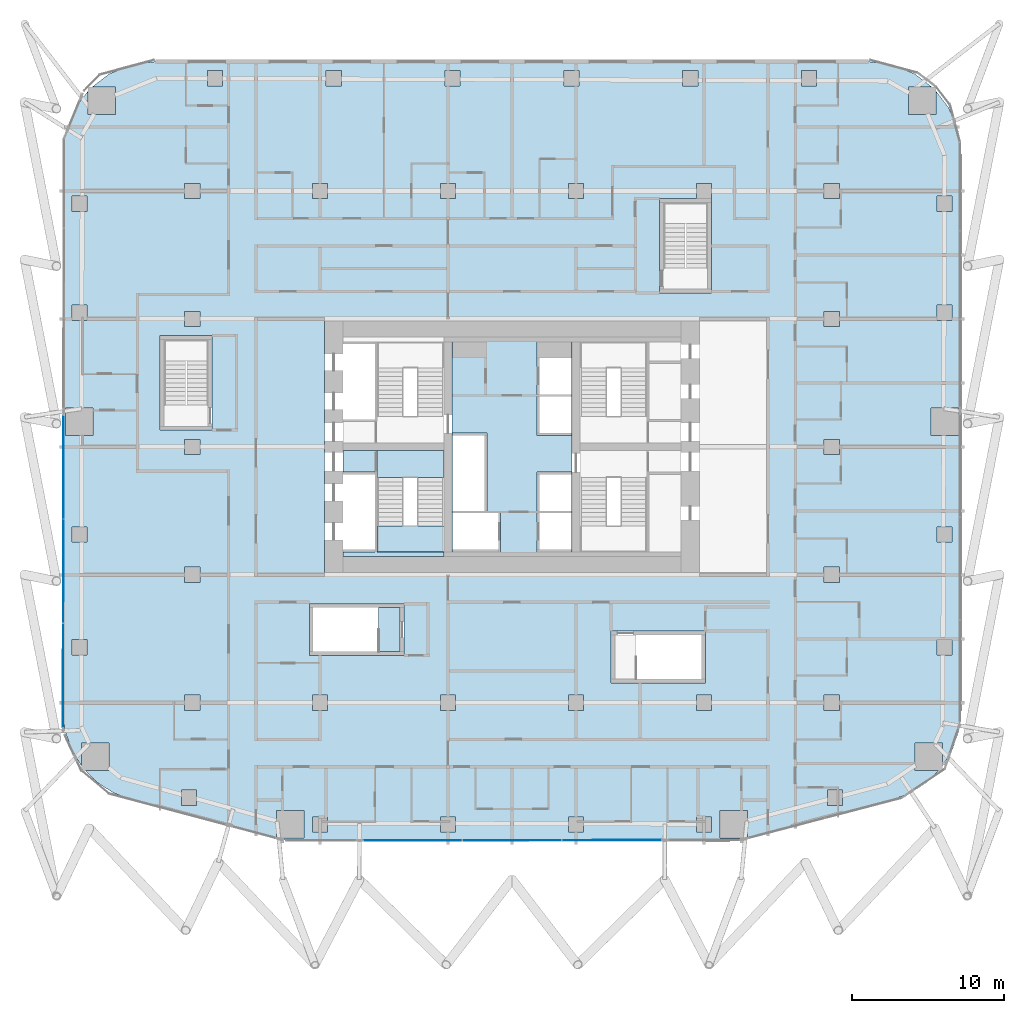
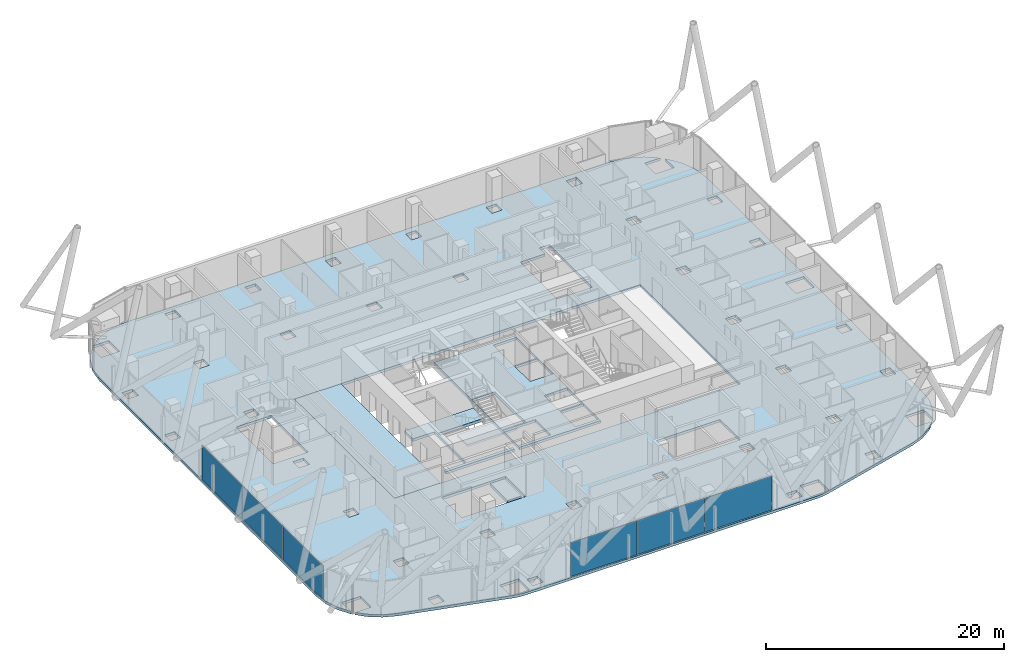
# One storey, part 21 of 36: 7 slabs, 6 plates, 3 elements without a shape of their own.
"""IFC4 building model written with IfcOpenShell, lengths in metres."""

from ifc_helpers import new_model, si_unit, direction, frame, origin, origin_2d, place, context, subcontext, project, spatial, polyline, rectangle, outline, extrude, material, layer, layer_set, type_object, element, aggregate, save


model = new_model("IFC4")

# Units and contexts
model_context = context("Model", 3, precision=1e-05, world=origin(), true_north=direction((0.0, 1.0)))
body_context = subcontext(model_context, "Body", "Model", "MODEL_VIEW")
ifc_project = project(units=[si_unit("LENGTHUNIT", "METRE"), si_unit("AREAUNIT", "SQUARE_METRE"), si_unit("VOLUMEUNIT", "CUBIC_METRE"), si_unit("PLANEANGLEUNIT", "RADIAN"), si_unit("MASSUNIT", "GRAM", prefix="KILO")], contexts=[model_context])

# Site, building, storey
site_placement = place(None, origin())
site = spatial("IfcSite", under=ifc_project, at=site_placement, CompositionType="ELEMENT")
building_placement = place(site_placement, origin())
building = spatial("IfcBuilding", under=site, at=building_placement, Name="Marenta Gate Hotel Tower", CompositionType="ELEMENT")
storey_placement = place(building_placement, frame((0.0, 0.0, 83.300048828125)))
storey = spatial("IfcBuildingStorey", under=building, at=storey_placement, Name="L19", CompositionType="ELEMENT", Elevation=83.300048828125)

# Slabs
ifc_material_1 = material(Name="Concrete C35", Category="concrete")
ifc_layer_1 = layer(ifc_material_1, 0.260009765625)
ifc_layer_set_1 = layer_set([ifc_layer_1], Name="Concrete C35")
slab_type_1 = type_object("IfcSlabType", Name="Concrete floor slab 260", PredefinedType="FLOOR", material=ifc_layer_set_1)
slab_1_placement = place(storey_placement, frame((0.0, 0.0, -0.260009765625)))
element("IfcSlab", 1, at=slab_1_placement, inside=storey, type_object=slab_type_1, Name="L19-SL-1", PredefinedType="FLOOR", context=body_context, shape_type="SweptSolid", body=[
    extrude(outline(polyline([(-27.313720703125, -13.56396484375), (-28.015625, -12.8330078125), (-26.462890625, -12.8330078125), (-26.462890625, -11.032958984375), (-28.262939453125, -11.032958984375), (-28.262939453125, -12.55859375), (-28.927001953125, -11.467041015625), (-29.35546875, -10.20703125), (-29.5, -8.889892578125), (-29.5, 27.6064453125), (-29.29296875, 29.178955078125), (-28.68359375, 30.650390625), (-27.83544921875, 31.755615234375), (-27.83544921875, 30.235595703125), (-26.035400390625, 30.235595703125), (-26.035400390625, 32.035400390625), (-27.555419921875, 32.035400390625), (-26.450439453125, 32.883544921875), (-24.97900390625, 33.492919921875), (-23.406494140625, 33.699951171875), (23.406494140625, 33.699951171875), (24.97900390625, 33.492919921875), (26.450439453125, 32.883544921875), (27.555419921875, 32.035400390625), (26.035400390625, 32.035400390625), (26.035400390625, 30.235595703125), (27.83544921875, 30.235595703125), (27.83544921875, 31.755615234375), (28.68359375, 30.650390625), (29.29296875, 29.178955078125), (29.5, 27.6064453125), (29.5, -8.889892578125), (29.35546875, -10.20703125), (28.927001953125, -11.467041015625), (28.262939453125, -12.55859375), (28.262939453125, -11.032958984375), (26.462890625, -11.032958984375), (26.462890625, -12.8330078125), (28.015625, -12.8330078125), (27.313720703125, -13.56396484375), (26.205810546875, -14.30126953125), (24.969482421875, -14.77880859375), (15.2265625, -17.36376953125), (14.70849609375, -17.4658203125), (14.181640625, -17.5), (-14.181640625, -17.5), (-14.70849609375, -17.4658203125), (-15.2265625, -17.36376953125), (-24.969482421875, -14.77880859375), (-26.205810546875, -14.30126953125), (-27.313720703125, -13.56396484375)]), holes=[polyline([(-16.800048828125, 0.0), (16.800048828125, 0.0), (16.800048828125, 16.800048828125), (-16.800048828125, 16.800048828125), (-16.800048828125, 0.0)]), polyline([(-13.666259765625, -15.474853515625), (-15.46630859375, -15.474853515625), (-15.46630859375, -17.27490234375), (-13.666259765625, -17.27490234375), (-13.666259765625, -15.474853515625)]), polyline([(-20.706787109375, -14.13916015625), (-21.706787109375, -14.13916015625), (-21.706787109375, -15.13916015625), (-20.706787109375, -15.13916015625), (-20.706787109375, -14.13916015625)]), polyline([(-20.5, -8.89990234375), (-20.5, -7.89990234375), (-21.5, -7.89990234375), (-21.5, -8.89990234375), (-20.5, -8.89990234375)]), polyline([(-12.10009765625, -8.89990234375), (-12.10009765625, -7.89990234375), (-13.10009765625, -7.89990234375), (-13.10009765625, -8.89990234375), (-12.10009765625, -8.89990234375)]), polyline([(-27.89990234375, -4.251953125), (-28.89990234375, -4.251953125), (-28.89990234375, -5.251953125), (-27.89990234375, -5.251953125), (-27.89990234375, -4.251953125)]), polyline([(-20.5, -0.5), (-20.5, 0.5), (-21.5, 0.5), (-21.5, -0.5), (-20.5, -0.5)]), polyline([(-27.89990234375, 2.149169921875), (-27.89990234375, 3.149169921875), (-28.89990234375, 3.149169921875), (-28.89990234375, 2.149169921875), (-27.89990234375, 2.149169921875)]), polyline([(-20.5, 8.89990234375), (-21.5, 8.89990234375), (-21.5, 7.89990234375), (-20.5, 7.89990234375), (-20.5, 8.89990234375)]), polyline([(-27.5, 9.14990234375), (-27.5, 10.949951171875), (-29.300048828125, 10.949951171875), (-29.300048828125, 9.14990234375), (-27.5, 9.14990234375)]), polyline([(-20.5, 16.300048828125), (-20.5, 17.300048828125), (-21.5, 17.300048828125), (-21.5, 16.300048828125), (-20.5, 16.300048828125)]), polyline([(-27.89990234375, 17.703125), (-28.89990234375, 17.703125), (-28.89990234375, 16.703125), (-27.89990234375, 16.703125), (-27.89990234375, 17.703125)]), polyline([(-27.89990234375, 23.8564453125), (-27.89990234375, 24.8564453125), (-28.89990234375, 24.8564453125), (-28.89990234375, 23.8564453125), (-27.89990234375, 23.8564453125)]), polyline([(-20.5, 24.699951171875), (-20.5, 25.699951171875), (-21.5, 25.699951171875), (-21.5, 24.699951171875), (-20.5, 24.699951171875)]), polyline([(-19.0068359375, 32.10009765625), (-19.0068359375, 33.10009765625), (-20.0068359375, 33.10009765625), (-20.0068359375, 32.10009765625), (-19.0068359375, 32.10009765625)]), polyline([(-12.10009765625, -16.89990234375), (-12.10009765625, -15.89990234375), (-13.10009765625, -15.89990234375), (-13.10009765625, -16.89990234375), (-12.10009765625, -16.89990234375)]), polyline([(-3.699951171875, -15.89990234375), (-4.699951171875, -15.89990234375), (-4.699951171875, -16.89990234375), (-3.699951171875, -16.89990234375), (-3.699951171875, -15.89990234375)]), polyline([(4.699951171875, -16.89990234375), (4.699951171875, -15.89990234375), (3.699951171875, -15.89990234375), (3.699951171875, -16.89990234375), (4.699951171875, -16.89990234375)]), polyline([(13.10009765625, -16.89990234375), (13.10009765625, -15.89990234375), (12.10009765625, -15.89990234375), (12.10009765625, -16.89990234375), (13.10009765625, -16.89990234375)]), polyline([(15.46630859375, -15.474853515625), (13.666259765625, -15.474853515625), (13.666259765625, -17.27490234375), (15.46630859375, -17.27490234375), (15.46630859375, -15.474853515625)]), polyline([(-3.699951171875, -8.89990234375), (-3.699951171875, -7.89990234375), (-4.699951171875, -7.89990234375), (-4.699951171875, -8.89990234375), (-3.699951171875, -8.89990234375)]), polyline([(4.699951171875, -8.89990234375), (4.699951171875, -7.89990234375), (3.699951171875, -7.89990234375), (3.699951171875, -8.89990234375), (4.699951171875, -8.89990234375)]), polyline([(13.10009765625, -7.89990234375), (12.10009765625, -7.89990234375), (12.10009765625, -8.89990234375), (13.10009765625, -8.89990234375), (13.10009765625, -7.89990234375)]), polyline([(-12.10009765625, 25.699951171875), (-13.10009765625, 25.699951171875), (-13.10009765625, 24.699951171875), (-12.10009765625, 24.699951171875), (-12.10009765625, 25.699951171875)]), polyline([(-3.699951171875, 25.699951171875), (-4.699951171875, 25.699951171875), (-4.699951171875, 24.699951171875), (-3.699951171875, 24.699951171875), (-3.699951171875, 25.699951171875)]), polyline([(4.699951171875, 24.699951171875), (4.699951171875, 25.699951171875), (3.699951171875, 25.699951171875), (3.699951171875, 24.699951171875), (4.699951171875, 24.699951171875)]), polyline([(13.10009765625, 25.699951171875), (12.10009765625, 25.699951171875), (12.10009765625, 24.699951171875), (9.699951171875, 24.699951171875), (9.699951171875, 18.5), (13.10009765625, 18.5), (13.10009765625, 25.699951171875)]), polyline([(-11.2041015625, 33.10009765625), (-12.2041015625, 33.10009765625), (-12.2041015625, 32.10009765625), (-11.2041015625, 32.10009765625), (-11.2041015625, 33.10009765625)]), polyline([(-3.4013671875, 32.10009765625), (-3.4013671875, 33.10009765625), (-4.4013671875, 33.10009765625), (-4.4013671875, 32.10009765625), (-3.4013671875, 32.10009765625)]), polyline([(4.4013671875, 32.10009765625), (4.4013671875, 33.10009765625), (3.4013671875, 33.10009765625), (3.4013671875, 32.10009765625), (4.4013671875, 32.10009765625)]), polyline([(12.2041015625, 33.10009765625), (11.2041015625, 33.10009765625), (11.2041015625, 32.10009765625), (12.2041015625, 32.10009765625), (12.2041015625, 33.10009765625)]), polyline([(21.706787109375, -15.13916015625), (21.706787109375, -14.13916015625), (20.706787109375, -14.13916015625), (20.706787109375, -15.13916015625), (21.706787109375, -15.13916015625)]), polyline([(21.5, -7.89990234375), (20.5, -7.89990234375), (20.5, -8.89990234375), (21.5, -8.89990234375), (21.5, -7.89990234375)]), polyline([(28.89990234375, -5.251953125), (28.89990234375, -4.251953125), (27.89990234375, -4.251953125), (27.89990234375, -5.251953125), (28.89990234375, -5.251953125)]), polyline([(21.5, -0.5), (21.5, 0.5), (20.5, 0.5), (20.5, -0.5), (21.5, -0.5)]), polyline([(28.89990234375, 3.149169921875), (27.89990234375, 3.149169921875), (27.89990234375, 2.149169921875), (28.89990234375, 2.149169921875), (28.89990234375, 3.149169921875)]), polyline([(21.5, 7.89990234375), (21.5, 8.89990234375), (20.5, 8.89990234375), (20.5, 7.89990234375), (21.5, 7.89990234375)]), polyline([(29.300048828125, 9.14990234375), (29.300048828125, 10.949951171875), (27.5, 10.949951171875), (27.5, 9.14990234375), (29.300048828125, 9.14990234375)]), polyline([(21.5, 17.300048828125), (20.5, 17.300048828125), (20.5, 16.300048828125), (21.5, 16.300048828125), (21.5, 17.300048828125)]), polyline([(28.89990234375, 16.703125), (28.89990234375, 17.703125), (27.89990234375, 17.703125), (27.89990234375, 16.703125), (28.89990234375, 16.703125)]), polyline([(28.89990234375, 23.8564453125), (28.89990234375, 24.8564453125), (27.89990234375, 24.8564453125), (27.89990234375, 23.8564453125), (28.89990234375, 23.8564453125)]), polyline([(21.5, 25.699951171875), (20.5, 25.699951171875), (20.5, 24.699951171875), (21.5, 24.699951171875), (21.5, 25.699951171875)]), polyline([(20.0068359375, 32.10009765625), (20.0068359375, 33.10009765625), (19.0068359375, 33.10009765625), (19.0068359375, 32.10009765625), (20.0068359375, 32.10009765625)]), polyline([(6.5, -7.10009765625), (12.699951171875, -7.10009765625), (12.699951171875, -3.699951171875), (6.5, -3.699951171875), (6.5, -7.10009765625)]), polyline([(-13.300048828125, -5.300048828125), (-7.10009765625, -5.300048828125), (-7.10009765625, -1.89990234375), (-13.300048828125, -1.89990234375), (-13.300048828125, -5.300048828125)]), polyline([(-23.10009765625, 9.5), (-19.699951171875, 9.5), (-19.699951171875, 15.699951171875), (-23.10009765625, 15.699951171875), (-23.10009765625, 9.5)])]), origin(), (0.0, 0.0, 1.0), 0.260009765625),
])
ifc_material_2 = material(Name="Concrete C40", Category="concrete")
ifc_layer_2 = layer(ifc_material_2, 0.260009765625)
ifc_layer_set_2 = layer_set([ifc_layer_2], Name="Concrete C40")
slab_type_2 = type_object("IfcSlabType", Name="Core floor slab 260", PredefinedType="FLOOR", material=ifc_layer_set_2)
slab_2_placement = place(storey_placement, frame((0.0, 0.0, -0.260009765625)))
element("IfcSlab", 2, at=slab_2_placement, inside=storey, type_object=slab_type_2, Name="L19-CF-4", PredefinedType="FLOOR", context=body_context, shape_type="SweptSolid", body=[
    extrude(outline(polyline([(3.949951171875, 15.300048828125), (3.949951171875, 10.39990234375), (3.949951171875, 6.39990234375), (3.949951171875, 1.5), (3.949951171875, 1.199951171875), (-3.949951171875, 1.199951171875), (-3.949951171875, 1.5), (-3.949951171875, 6.39990234375), (-3.949951171875, 10.39990234375), (-3.949951171875, 15.300048828125), (-3.949951171875, 15.60009765625), (3.949951171875, 15.60009765625), (3.949951171875, 15.300048828125)]), holes=[polyline([(1.64990234375, 4.050048828125), (1.64990234375, 1.64990234375), (1.64990234375, 1.5), (3.89990234375, 1.5), (3.89990234375, 1.64990234375), (3.89990234375, 4.050048828125), (1.800048828125, 4.050048828125), (1.64990234375, 4.050048828125)]), polyline([(1.64990234375, 9.14990234375), (3.89990234375, 9.14990234375), (3.89990234375, 9.300048828125), (3.89990234375, 11.699951171875), (1.800048828125, 11.699951171875), (1.64990234375, 11.699951171875), (1.64990234375, 9.300048828125), (1.64990234375, 9.14990234375)]), polyline([(1.64990234375, 11.85009765625), (1.800048828125, 11.85009765625), (3.89990234375, 11.85009765625), (3.89990234375, 14.25), (3.89990234375, 15.300048828125), (1.64990234375, 15.300048828125), (1.64990234375, 14.25), (1.64990234375, 11.85009765625)]), polyline([(3.89990234375, 6.60009765625), (3.89990234375, 6.75), (1.64990234375, 6.75), (1.64990234375, 6.60009765625), (1.64990234375, 4.199951171875), (1.800048828125, 4.199951171875), (3.89990234375, 4.199951171875), (3.89990234375, 6.60009765625)]), polyline([(-3.89990234375, 1.5), (-0.89990234375, 1.5), (-0.75, 1.5), (-0.75, 4.050048828125), (-0.89990234375, 4.050048828125), (-3.89990234375, 4.050048828125), (-3.89990234375, 1.64990234375), (-3.89990234375, 1.5)]), polyline([(-1.64990234375, 4.199951171875), (-1.64990234375, 9.14990234375), (-1.64990234375, 9.300048828125), (-3.89990234375, 9.300048828125), (-3.89990234375, 9.14990234375), (-3.89990234375, 6.75), (-3.89990234375, 6.60009765625), (-3.89990234375, 4.199951171875), (-1.800048828125, 4.199951171875), (-1.64990234375, 4.199951171875)])]), origin(), (0.0, 0.0, 1.0), 0.260009765625),
])
slab_3_placement = place(storey_placement, frame((0.0, 0.0, -0.260009765625)))
element("IfcSlab", 3, at=slab_3_placement, inside=storey, type_object=slab_type_2, Name="L19-CF-5", PredefinedType="FLOOR", context=body_context, shape_type="SweptSolid", body=[
    extrude(outline(polyline([(-9.0, 1.5), (-9.0, 1.64990234375), (-9.0, 4.050048828125), (-9.0, 4.199951171875), (-9.0, 6.60009765625), (-9.0, 6.75), (-11.10009765625, 6.75), (-11.10009765625, 8.14990234375), (-8.85009765625, 8.14990234375), (-8.85009765625, 8.10009765625), (-8.85009765625, 6.39990234375), (-8.85009765625, 1.5), (-4.449951171875, 1.5), (-4.449951171875, 1.199951171875), (-11.10009765625, 1.199951171875), (-11.10009765625, 1.5), (-9.0, 1.5)])), origin(), (0.0, 0.0, 1.0), 0.260009765625),
])
slab_4_placement = place(storey_placement, frame((0.0, 0.0, -0.260009765625)))
element("IfcSlab", 4, at=slab_4_placement, inside=storey, type_object=slab_type_2, Name="L19-CF-7", PredefinedType="FLOOR", context=body_context, shape_type="SweptSolid", body=[
    extrude(outline(polyline([(-12.300048828125, 16.800048828125), (-12.300048828125, 0.0), (-16.800048828125, 0.0), (-16.800048828125, 16.800048828125), (-12.300048828125, 16.800048828125)])), origin(), (0.0, 0.0, 1.0), 0.260009765625),
])

# Stair, slab
ifc_material_3 = material(Name="Concrete C40", Category="concrete")
stair_type = type_object("IfcStairType", Name="Core exit stair 1700 wide", PredefinedType="HALF_TURN_STAIR", material=ifc_material_3)
stair_placement = place(storey_placement, origin())
stair = element("IfcStair", 5, at=stair_placement, inside=storey, type_object=stair_type, Name="Exit stair 1", PredefinedType="HALF_TURN_STAIR")
ifc_material_4 = material(Name="Concrete C40", Category="concrete")
ifc_layer_3 = layer(ifc_material_4, 0.199951171875)
ifc_layer_set_3 = layer_set([ifc_layer_3], Name="Concrete C40")
slab_type_3 = type_object("IfcSlabType", Name="Core stair landing 200", PredefinedType="LANDING", material=ifc_layer_set_3)
slab_5_placement = place(storey_placement, frame((0.0, 0.0, 1.599853515625)))
slab_5 = element("IfcSlab", 6, at=slab_5_placement, type_object=slab_type_3, Name="SL-200 ST1 landing 1", PredefinedType="LANDING", context=body_context, shape_type="SweptSolid", body=[
    extrude(outline(polyline([(-8.85009765625, 1.5), (-3.949951171875, 1.5), (-3.949951171875, 3.2099609375), (-8.85009765625, 3.2099609375), (-8.85009765625, 1.5)])), origin(), (0.0, 0.0, 1.0), 0.2001953125),
])
aggregate(stair, [slab_5])

# Curtain wall, plates
ifc_material_5 = material(Name="Tinted insulated glass in bronze anodised frame", Category="glass")
ifc_layer_4 = layer(ifc_material_5, 0.1201171875)
ifc_layer_set_4 = layer_set([ifc_layer_4], Name="Tinted insulated glass in bronze anodised frame")
curtain_wall_type = type_object("IfcCurtainWallType", Name="Tower unitised curtain wall CW1", PredefinedType="NOTDEFINED", material=ifc_layer_set_4)
curtain_wall_1_placement = place(storey_placement, origin())
curtain_wall_1 = element("IfcCurtainWall", 7, at=curtain_wall_1_placement, inside=storey, type_object=curtain_wall_type, Name="CW1 run G08", PredefinedType="NOTDEFINED")
ifc_material_6 = material(Name="Tinted insulated glass", Category="glass")
ifc_layer_5 = layer(ifc_material_6, 0.028076171875)
ifc_layer_set_5 = layer_set([ifc_layer_5], Name="Tinted insulated glass")
plate_type = type_object("IfcPlateType", Name="Glass panel CW1 28 mm tinted insulated unit", PredefinedType="CURTAIN_PANEL", material=ifc_layer_set_5)
plate_1_placement = place(storey_placement, frame((-29.4462890625, 7.068359375, 0.06005859375), z_axis=(0.0, 0.0, 1.0), x_axis=(-0.00156461532, -0.999998775989, 0.0)))
plate_1 = element("IfcPlate", 8, at=plate_1_placement, type_object=plate_type, Name="CW1 panel 1.1", PredefinedType="CURTAIN_PANEL", context=body_context, shape_type="SweptSolid", body=[
    extrude(rectangle(XDim=6.748779296875, YDim=0.028076171875, at=origin_2d()), origin(), (0.0, 0.0, 1.0), 3.47998046875),
])
plate_2_placement = place(storey_placement, frame((-29.456787109375, 0.24462890625, 0.06005859375), z_axis=(0.0, 0.0, 1.0), x_axis=(-0.00156461532, -0.999998775989, 0.0)))
plate_2 = element("IfcPlate", 9, at=plate_2_placement, type_object=plate_type, Name="CW1 panel 2.1", PredefinedType="CURTAIN_PANEL", context=body_context, shape_type="SweptSolid", body=[
    extrude(rectangle(XDim=6.77880859375, YDim=0.028076171875, at=origin_2d()), origin(), (0.0, 0.0, 1.0), 3.47998046875),
])
plate_3_placement = place(storey_placement, frame((-29.467529296875, -6.60888671875, 0.06005859375), z_axis=(0.0, 0.0, 1.0), x_axis=(-0.00156461532, -0.999998775989, 0.0)))
plate_3 = element("IfcPlate", 10, at=plate_3_placement, type_object=plate_type, Name="CW1 panel 3.1", PredefinedType="CURTAIN_PANEL", context=body_context, shape_type="SweptSolid", body=[
    extrude(rectangle(XDim=6.80859375, YDim=0.028076171875, at=origin_2d()), origin(), (0.0, 0.0, 1.0), 3.47998046875),
])
aggregate(curtain_wall_1, [plate_1, plate_2, plate_3])

curtain_wall_2_placement = place(storey_placement, origin())
curtain_wall_2 = element("IfcCurtainWall", 11, at=curtain_wall_2_placement, inside=storey, type_object=curtain_wall_type, Name="CW1 run G20", PredefinedType="NOTDEFINED")
plate_4_placement = place(storey_placement, frame((-6.510986328125, -17.43798828125, 0.06005859375), z_axis=(0.0, 0.0, 1.0), x_axis=(0.999999323345, 0.001163317936, 0.0)))
plate_4 = element("IfcPlate", 12, at=plate_4_placement, type_object=plate_type, Name="CW1 panel 1.1", PredefinedType="CURTAIN_PANEL", context=body_context, shape_type="SweptSolid", body=[
    extrude(rectangle(XDim=6.443115234375, YDim=0.028076171875, at=origin_2d()), origin(), (0.0, 0.0, 1.0), 3.47998046875),
])
plate_5_placement = place(storey_placement, frame((0.007080078125, -17.430419921875, 0.06005859375), z_axis=(0.0, 0.0, 1.0), x_axis=(0.999999323345, 0.001163317936, 0.0)))
plate_5 = element("IfcPlate", 13, at=plate_5_placement, type_object=plate_type, Name="CW1 panel 2.1", PredefinedType="CURTAIN_PANEL", context=body_context, shape_type="SweptSolid", body=[
    extrude(rectangle(XDim=6.47314453125, YDim=0.028076171875, at=origin_2d()), origin(), (0.0, 0.0, 1.0), 3.47998046875),
])
plate_6_placement = place(storey_placement, frame((6.55517578125, -17.4228515625, 0.06005859375), z_axis=(0.0, 0.0, 1.0), x_axis=(0.999999323345, 0.001163317936, 0.0)))
plate_6 = element("IfcPlate", 14, at=plate_6_placement, type_object=plate_type, Name="CW1 panel 3.1", PredefinedType="CURTAIN_PANEL", context=body_context, shape_type="SweptSolid", body=[
    extrude(rectangle(XDim=6.5029296875, YDim=0.028076171875, at=origin_2d()), origin(), (0.0, 0.0, 1.0), 3.47998046875),
])
aggregate(curtain_wall_2, [plate_4, plate_5, plate_6])

# Slabs
ifc_material_7 = material(Name="Concrete C40", Category="concrete")
ifc_layer_6 = layer(ifc_material_7, 0.300048828125)
ifc_layer_set_6 = layer_set([ifc_layer_6], Name="Concrete C40")
slab_type_4 = type_object("IfcSlabType", Name="Stair floor landing slab 300", PredefinedType="FLOOR", material=ifc_layer_set_6)
slab_6_placement = place(storey_placement, frame((0.0, 0.0, -0.300048828125)))
element("IfcSlab", 15, at=slab_6_placement, inside=storey, type_object=slab_type_4, Name="L19-CL-ST1-1", PredefinedType="FLOOR", context=body_context, shape_type="SweptSolid", body=[
    extrude(outline(polyline([(-4.449951171875, 6.39990234375), (-8.85009765625, 6.39990234375), (-8.85009765625, 8.10009765625), (-8.85009765625, 8.14990234375), (-4.449951171875, 8.14990234375), (-4.449951171875, 6.39990234375)])), origin(), (0.0, 0.0, 1.0), 0.300048828125),
])
slab_7_placement = place(storey_placement, frame((0.0, 0.0, -0.300048828125)))
element("IfcSlab", 16, at=slab_7_placement, inside=storey, type_object=slab_type_4, Name="L19-RS-Z1-2-CL", PredefinedType="FLOOR", context=body_context, shape_type="SweptSolid", body=[
    extrude(outline(polyline([(-7.35009765625, -5.050048828125), (-7.35009765625, -2.14990234375), (-8.75, -2.14990234375), (-8.75, -5.050048828125), (-7.35009765625, -5.050048828125)])), origin(), (0.0, 0.0, 1.0), 0.300048828125),
])

save(model, "model.ifc")
